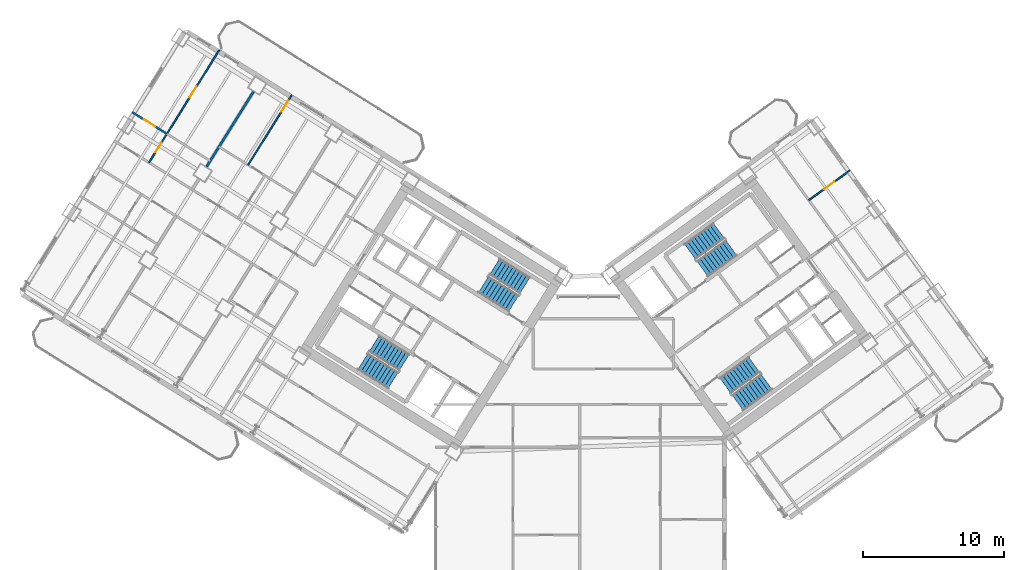
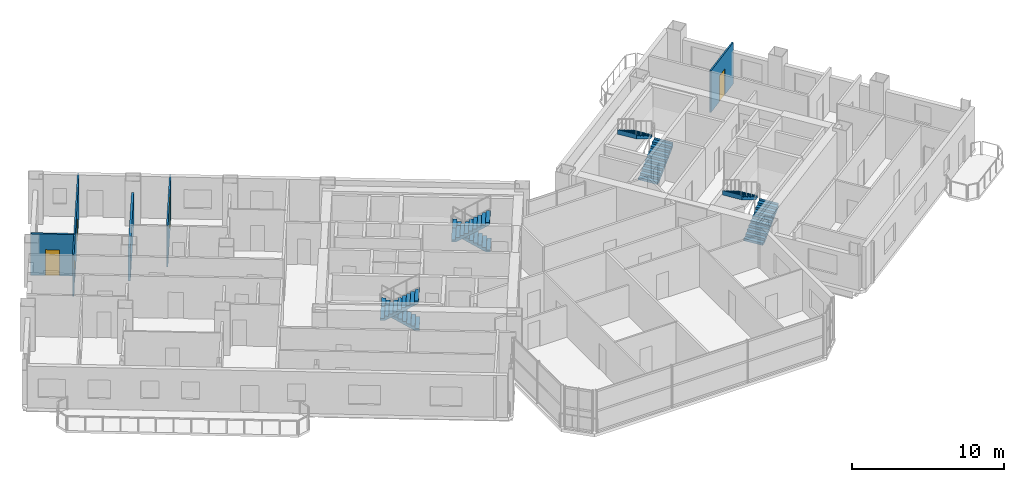
# One storey, part 20 of 24: 8 stair flights, 5 doors, 5 walls, 5 openings, 4 elements without a shape of their own.
"""IFC4 building model written with IfcOpenShell, lengths in metres."""

from ifc_helpers import new_model, si_unit, direction, frame, frame_2d, origin, place, context, subcontext, project, spatial, polyline, rectangle, outline, extrude, source, transform, mapped, material, layer, layer_set, type_object, element, fill, aggregate, save


model = new_model("IFC4")

# Units and contexts
model_context = context("Model", 3, precision=1e-05, world=origin(), true_north=direction((0.0, 1.0)))
body_context = subcontext(model_context, "Body", "Model", "MODEL_VIEW")
ifc_project = project(units=[si_unit("LENGTHUNIT", "METRE"), si_unit("AREAUNIT", "SQUARE_METRE"), si_unit("VOLUMEUNIT", "CUBIC_METRE"), si_unit("PLANEANGLEUNIT", "RADIAN"), si_unit("MASSUNIT", "GRAM", prefix="KILO")], contexts=[model_context])

# Site, building, storey
site_placement = place(None, origin())
site = spatial("IfcSite", under=ifc_project, at=site_placement, CompositionType="ELEMENT")
building_placement = place(site_placement, origin())
building = spatial("IfcBuilding", under=site, at=building_placement, Name="Tlacorven Tower", CompositionType="ELEMENT")
storey_placement = place(building_placement, frame((0.0, 0.0, 45.60009765625)))
storey = spatial("IfcBuildingStorey", under=building, at=storey_placement, Name="L11", CompositionType="ELEMENT", Elevation=45.60009765625)

# Wall
ifc_material_1 = material(Name="Gypsum plasterboard acoustic partition", Category="gypsum")
ifc_layer_1 = layer(ifc_material_1, 0.159912109375)
ifc_layer_set_1 = layer_set([ifc_layer_1], Name="Gypsum plasterboard acoustic partition")
wall_type_1 = type_object("IfcWallType", Name="WL-DEM-160", PredefinedType="PARTITIONING", material=ifc_layer_set_1)
wall_1_placement = place(storey_placement, frame((18.801513671875, 37.60009765625, 0.0), z_axis=(0.0, 0.0, 1.0), x_axis=(-0.529915015264, -0.848050751193, 0.0)))
element("IfcWall", 1, at=wall_1_placement, inside=storey, type_object=wall_type_1, Name="L11 WS Demising Wall 2", PredefinedType="PARTITIONING", context=body_context, shape_type="SweptSolid", body=[
    extrude(rectangle(XDim=6.27587890625, YDim=0.159912109375, at=frame_2d((3.137939453125, 0.0))), origin(), (0.0, 0.0, 1.0), 2.724853515625),
])

# Wall, opening, door
ifc_material_2 = material(Name="Gypsum plasterboard partition", Category="gypsum")
ifc_layer_2 = layer(ifc_material_2, 0.110107421875)
ifc_layer_set_2 = layer_set([ifc_layer_2], Name="Gypsum plasterboard partition")
wall_type_2 = type_object("IfcWallType", Name="WL-INT-110", PredefinedType="PARTITIONING", material=ifc_layer_set_2)
wall_2_placement = place(storey_placement, frame((21.516845703125, 37.356201171875, 0.0), z_axis=(0.0, 0.0, 1.0), x_axis=(-0.529916267533, -0.848049968695, 0.0)))
wall_2 = element("IfcWall", 2, at=wall_2_placement, inside=storey, type_object=wall_type_2, Name="L11 partition 70", PredefinedType="PARTITIONING", context=body_context, shape_type="SweptSolid", body=[
    extrude(rectangle(XDim=5.840087890625, YDim=0.110107421875, at=frame_2d((2.919921875, 0.0))), origin(), (0.0, 0.0, 1.0), 3.33984375),
])
opening_1_placement = place(wall_2_placement, frame((0.469970703125, 0.0, 0.0)))
opening_1 = element("IfcOpeningElement", 3, at=opening_1_placement, cuts=wall_2, Name="Opening D12", PredefinedType="OPENING", context=body_context, shape_type="SweptSolid", body=[
    extrude(rectangle(XDim=0.919921875, YDim=2.080078125, at=frame_2d((0.4599609375, 1.0400390625))), frame((0.0, 0.06494140625, 0.0), z_axis=(0.0, -1.0, 0.0), x_axis=(1.0, 0.0, 0.0)), (0.0, 0.0, 1.0), 0.130126953125),
])
ifc_material_3 = material(Name="Powder-coated aluminium and timber door", Category="wood")
door_type_1 = type_object("IfcDoorType", Name="DR-INT-ROOM-0920", OperationType="NOTDEFINED", PredefinedType="DOOR", material=ifc_material_3)
shared_shape_1 = source(origin(), body_context, "Body", "SweptSolid", [
    extrude(rectangle(XDim=0.919921875, YDim=2.080078125, at=frame_2d((0.4599609375, 1.0400390625))), frame((0.0, 0.02490234375, 0.0), z_axis=(0.0, -1.0, 0.0), x_axis=(1.0, 0.0, 0.0)), (0.0, 0.0, 1.0), 0.050048828125),
])
door_1_placement = place(opening_1_placement, origin())
door_1 = element("IfcDoor", 4, at=door_1_placement, inside=storey, type_object=door_type_1, Name="L11 door 035", OperationType="SINGLE_SWING_RIGHT", OverallHeight=2.080078125, OverallWidth=0.919921875, PredefinedType="DOOR", context=body_context, shape_type="MappedRepresentation", body=[
    mapped(shared_shape_1, transform((0.0, 0.0, 0.0), scale=1.0)),
])
fill(opening_1, door_1)

# Wall, openings, doors
wall_3_placement = place(storey_placement, frame((16.384521484375, 40.563232421875, 0.0), z_axis=(0.0, 0.0, 1.0), x_axis=(-0.529931378574, -0.848040526156, 0.0)))
wall_3 = element("IfcWall", 5, at=wall_3_placement, inside=storey, type_object=wall_type_2, Name="L11 partition 71", PredefinedType="PARTITIONING", context=body_context, shape_type="SweptSolid", body=[
    extrude(rectangle(XDim=9.419921875, YDim=0.110107421875, at=frame_2d((4.7099609375, 0.0))), origin(), (0.0, 0.0, 1.0), 3.33984375),
])
opening_2_placement = place(wall_3_placement, frame((7.780029296875, 0.0, 0.0)))
opening_2 = element("IfcOpeningElement", 6, at=opening_2_placement, cuts=wall_3, Name="Opening D22", PredefinedType="OPENING", context=body_context, shape_type="SweptSolid", body=[
    extrude(rectangle(XDim=0.780029296875, YDim=2.050048828125, at=frame_2d((0.39013671875, 1.02490234375))), frame((0.0, 0.06494140625, 0.0), z_axis=(0.0, -1.0, 0.0), x_axis=(1.0, 0.0, 0.0)), (0.0, 0.0, 1.0), 0.130126953125),
])
opening_3_placement = place(wall_3_placement, frame((3.050048828125, 0.0, 0.0)))
opening_3 = element("IfcOpeningElement", 7, at=opening_3_placement, cuts=wall_3, Name="Opening D12", PredefinedType="OPENING", context=body_context, shape_type="SweptSolid", body=[
    extrude(rectangle(XDim=0.919921875, YDim=2.080078125, at=frame_2d((0.4599609375, 1.0400390625))), frame((0.0, 0.06494140625, 0.0), z_axis=(0.0, -1.0, 0.0), x_axis=(1.0, 0.0, 0.0)), (0.0, 0.0, 1.0), 0.130126953125),
])
door_type_2 = type_object("IfcDoorType", Name="DR-INT-WET-0780", OperationType="NOTDEFINED", PredefinedType="DOOR", material=ifc_material_3)
shared_shape_2 = source(origin(), body_context, "Body", "SweptSolid", [
    extrude(rectangle(XDim=0.780029296875, YDim=2.050048828125, at=frame_2d((0.39013671875, 1.02490234375))), frame((0.0, 0.02490234375, 0.0), z_axis=(0.0, -1.0, 0.0), x_axis=(1.0, 0.0, 0.0)), (0.0, 0.0, 1.0), 0.050048828125),
])
door_2_placement = place(opening_2_placement, origin())
door_2 = element("IfcDoor", 8, at=door_2_placement, inside=storey, type_object=door_type_2, Name="L11 door 042", OperationType="SINGLE_SWING_LEFT", OverallHeight=2.050048828125, OverallWidth=0.780029296875, PredefinedType="DOOR", context=body_context, shape_type="MappedRepresentation", body=[
    mapped(shared_shape_2, transform((0.0, 0.0, 0.0), scale=1.0)),
])
fill(opening_2, door_2)
door_3_placement = place(opening_3_placement, origin())
door_3 = element("IfcDoor", 9, at=door_3_placement, inside=storey, type_object=door_type_1, Name="L11 door 043", OperationType="SINGLE_SWING_RIGHT", OverallHeight=2.080078125, OverallWidth=0.919921875, PredefinedType="DOOR", context=body_context, shape_type="MappedRepresentation", body=[
    mapped(shared_shape_1, transform((0.0, 0.0, 0.0), scale=1.0)),
])
fill(opening_3, door_3)

# Wall, opening, door
wall_4_placement = place(storey_placement, frame((58.19482421875, 29.903564453125, 0.0), z_axis=(0.0, 0.0, 1.0), x_axis=(0.809005039917, 0.58780170584, 0.0)))
wall_4 = element("IfcWall", 10, at=wall_4_placement, inside=storey, type_object=wall_type_2, Name="L11 partition 103", PredefinedType="PARTITIONING", context=body_context, shape_type="SweptSolid", body=[
    extrude(rectangle(XDim=3.610107421875, YDim=0.110107421875, at=frame_2d((1.80517578125, 0.0))), origin(), (0.0, 0.0, 1.0), 3.33984375),
])
opening_4_placement = place(wall_4_placement, frame((1.344970703125, 0.0, 0.0)))
opening_4 = element("IfcOpeningElement", 11, at=opening_4_placement, cuts=wall_4, Name="Opening D12", PredefinedType="OPENING", context=body_context, shape_type="SweptSolid", body=[
    extrude(rectangle(XDim=0.919921875, YDim=2.080078125, at=frame_2d((0.4599609375, 1.0400390625))), frame((0.0, 0.06494140625, 0.0), z_axis=(0.0, -1.0, 0.0), x_axis=(1.0, 0.0, 0.0)), (0.0, 0.0, 1.0), 0.130126953125),
])
door_4_placement = place(opening_4_placement, origin())
door_4 = element("IfcDoor", 12, at=door_4_placement, inside=storey, type_object=door_type_1, Name="L11 door 063", OperationType="SINGLE_SWING_RIGHT", OverallHeight=2.080078125, OverallWidth=0.919921875, PredefinedType="DOOR", context=body_context, shape_type="MappedRepresentation", body=[
    mapped(shared_shape_1, transform((0.0, 0.0, 0.0), scale=1.0)),
])
fill(opening_4, door_4)

ifc_material_4 = material(Name="Moisture-resistant gypsum plumbing wall", Category="gypsum")
ifc_layer_3 = layer(ifc_material_4, 0.139892578125)
ifc_layer_set_3 = layer_set([ifc_layer_3], Name="Moisture-resistant gypsum plumbing wall")
wall_type_3 = type_object("IfcWallType", Name="WL-PLM-140", PredefinedType="PLUMBINGWALL", material=ifc_layer_set_3)
wall_5_placement = place(storey_placement, frame((12.66455078125, 34.60986328125, 0.0), z_axis=(0.0, 0.0, 1.0), x_axis=(-0.848045593671, 0.529923269025, 0.0)))
wall_5 = element("IfcWall", 13, at=wall_5_placement, inside=storey, type_object=wall_type_3, Name="L11 partition 73", PredefinedType="PLUMBINGWALL", context=body_context, shape_type="SweptSolid", body=[
    extrude(rectangle(XDim=2.900146484375, YDim=0.139892578125, at=frame_2d((1.4501953125, 0.0))), origin(), (0.0, 0.0, 1.0), 3.33984375),
])
opening_5_placement = place(wall_5_placement, frame((0.989990234375, 0.0, 0.0)))
opening_5 = element("IfcOpeningElement", 14, at=opening_5_placement, cuts=wall_5, Name="Opening D12", PredefinedType="OPENING", context=body_context, shape_type="SweptSolid", body=[
    extrude(rectangle(XDim=0.919921875, YDim=2.080078125, at=frame_2d((0.4599609375, 1.0400390625))), frame((0.0, 0.080078125, 0.0), z_axis=(0.0, -1.0, 0.0), x_axis=(1.0, 0.0, 0.0)), (0.0, 0.0, 1.0), 0.159912109375),
])
door_5_placement = place(opening_5_placement, origin())
door_5 = element("IfcDoor", 15, at=door_5_placement, inside=storey, type_object=door_type_1, Name="L11 door 041", OperationType="SINGLE_SWING_LEFT", OverallHeight=2.080078125, OverallWidth=0.919921875, PredefinedType="DOOR", context=body_context, shape_type="MappedRepresentation", body=[
    mapped(shared_shape_1, transform((0.0, 0.0, 0.0), scale=1.0)),
])
fill(opening_5, door_5)

# Stair, stair flights
ifc_material_5 = material(Name="Concrete C40/50", Category="concrete")
stair_type = type_object("IfcStairType", Name="ST-CORE-DLG", PredefinedType="HALF_TURN_STAIR", material=ifc_material_5)
stair_1_placement = place(storey_placement, origin())
stair_1 = element("IfcStair", 16, at=stair_1_placement, inside=storey, type_object=stair_type, Name="L11 Protected Exit Stair West 1", PredefinedType="HALF_TURN_STAIR")
stair_flight_type = type_object("IfcStairFlightType", Name="SFL-RC-1380", PredefinedType="STRAIGHT", material=ifc_material_5)
shared_shape_3 = source(origin(), body_context, "Body", "SweptSolid", [
    extrude(outline(polyline([(-0.0029296875, -0.0029296875), (-0.0029296875, 0.179931640625), (0.280029296875, 0.179931640625), (0.280029296875, 0.360107421875), (0.56005859375, 0.360107421875), (0.56005859375, 0.5400390625), (0.840087890625, 0.5400390625), (0.840087890625, 0.719970703125), (1.1201171875, 0.719970703125), (1.1201171875, 0.89990234375), (1.39990234375, 0.89990234375), (1.39990234375, 1.080078125), (1.679931640625, 1.080078125), (1.679931640625, 1.260009765625), (1.9599609375, 1.260009765625), (1.9599609375, 1.43994140625), (2.239990234375, 1.43994140625), (2.239990234375, 1.6201171875), (2.52001953125, 1.6201171875), (2.52001953125, 1.800048828125), (2.52294921875, 1.800048828125), (2.52294921875, 1.429931640625), (2.52001953125, 1.429931640625), (0.295654296875, 0.0), (0.295654296875, -0.0029296875), (-0.0029296875, -0.0029296875)])), frame((0.0, 0.68994140625, 0.0), z_axis=(0.0, -1.0, 0.0), x_axis=(1.0, 0.0, 0.0)), (0.0, 0.0, 1.0), 1.3798828125),
])
stair_flight_1_placement = place(storey_placement, frame((29.499755859375, 18.39453125, 0.0), z_axis=(0.0, 0.0, 1.0), x_axis=(-0.848048096156, 0.529919264233, 0.0)))
stair_flight_1 = element("IfcStairFlight", 17, at=stair_flight_1_placement, type_object=stair_flight_type, Name="ST-W1 flight 1", NumberOfRisers=10, NumberOfTreads=9, PredefinedType="STRAIGHT", RiserHeight=0.18, TreadLength=0.28, context=body_context, shape_type="MappedRepresentation", body=[
    mapped(shared_shape_3, transform((0.0, 0.0, 0.0), scale=1.0)),
])
stair_flight_2_placement = place(storey_placement, frame((26.56787109375, 18.4580078125, 1.7998046875), z_axis=(0.0, 0.0, 1.0), x_axis=(0.848048096156, -0.529919264233, 0.0)))
stair_flight_2 = element("IfcStairFlight", 18, at=stair_flight_2_placement, type_object=stair_flight_type, Name="ST-W1 flight 2", NumberOfRisers=10, NumberOfTreads=9, PredefinedType="STRAIGHT", RiserHeight=0.18, TreadLength=0.28, context=body_context, shape_type="MappedRepresentation", body=[
    mapped(shared_shape_3, transform((0.0, 0.0, 0.0), scale=1.0)),
])
aggregate(stair_1, [stair_flight_1, stair_flight_2])

stair_2_placement = place(storey_placement, origin())
stair_2 = element("IfcStair", 19, at=stair_2_placement, inside=storey, type_object=stair_type, Name="L11 Protected Exit Stair West 2", PredefinedType="HALF_TURN_STAIR")
stair_flight_3_placement = place(storey_placement, frame((38.051513671875, 23.852294921875, 0.0), z_axis=(0.0, 0.0, 1.0), x_axis=(-0.848048096156, 0.529919264233, 0.0)))
stair_flight_3 = element("IfcStairFlight", 20, at=stair_flight_3_placement, type_object=stair_flight_type, Name="ST-W2 flight 1", NumberOfRisers=10, NumberOfTreads=9, PredefinedType="STRAIGHT", RiserHeight=0.18, TreadLength=0.28, context=body_context, shape_type="MappedRepresentation", body=[
    mapped(shared_shape_3, transform((0.0, 0.0, 0.0), scale=1.0)),
])
stair_flight_4_placement = place(storey_placement, frame((35.119384765625, 23.91552734375, 1.7998046875), z_axis=(0.0, 0.0, 1.0), x_axis=(0.848048096156, -0.529919264233, 0.0)))
stair_flight_4 = element("IfcStairFlight", 21, at=stair_flight_4_placement, type_object=stair_flight_type, Name="ST-W2 flight 2", NumberOfRisers=10, NumberOfTreads=9, PredefinedType="STRAIGHT", RiserHeight=0.18, TreadLength=0.28, context=body_context, shape_type="MappedRepresentation", body=[
    mapped(shared_shape_3, transform((0.0, 0.0, 0.0), scale=1.0)),
])
aggregate(stair_2, [stair_flight_3, stair_flight_4])

stair_3_placement = place(storey_placement, origin())
stair_3 = element("IfcStair", 22, at=stair_3_placement, inside=storey, type_object=stair_type, Name="L11 Protected Exit Stair East 1", PredefinedType="HALF_TURN_STAIR")
stair_flight_5_placement = place(storey_placement, frame((50.6533203125, 25.0400390625, 0.0), z_axis=(0.0, 0.0, 1.0), x_axis=(0.809016994375, 0.587785252292, 0.0)))
stair_flight_5 = element("IfcStairFlight", 23, at=stair_flight_5_placement, type_object=stair_flight_type, Name="ST-E1 flight 1", NumberOfRisers=10, NumberOfTreads=9, PredefinedType="STRAIGHT", RiserHeight=0.18, TreadLength=0.28, context=body_context, shape_type="MappedRepresentation", body=[
    mapped(shared_shape_3, transform((0.0, 0.0, 0.0), scale=1.0)),
])
stair_flight_6_placement = place(storey_placement, frame((51.810546875, 27.734619140625, 1.7998046875), z_axis=(0.0, 0.0, 1.0), x_axis=(-0.809016994375, -0.587785252292, 0.0)))
stair_flight_6 = element("IfcStairFlight", 24, at=stair_flight_6_placement, type_object=stair_flight_type, Name="ST-E1 flight 2", NumberOfRisers=10, NumberOfTreads=9, PredefinedType="STRAIGHT", RiserHeight=0.18, TreadLength=0.28, context=body_context, shape_type="MappedRepresentation", body=[
    mapped(shared_shape_3, transform((0.0, 0.0, 0.0), scale=1.0)),
])
aggregate(stair_3, [stair_flight_5, stair_flight_6])

stair_4_placement = place(storey_placement, origin())
stair_4 = element("IfcStair", 25, at=stair_4_placement, inside=storey, type_object=stair_type, Name="L11 Protected Exit Stair East 2", PredefinedType="HALF_TURN_STAIR")
stair_flight_7_placement = place(storey_placement, frame((53.157470703125, 15.536865234375, 0.0), z_axis=(0.0, 0.0, 1.0), x_axis=(0.809016994375, 0.587785252292, 0.0)))
stair_flight_7 = element("IfcStairFlight", 26, at=stair_flight_7_placement, type_object=stair_flight_type, Name="ST-E2 flight 1", NumberOfRisers=10, NumberOfTreads=9, PredefinedType="STRAIGHT", RiserHeight=0.18, TreadLength=0.28, context=body_context, shape_type="MappedRepresentation", body=[
    mapped(shared_shape_3, transform((0.0, 0.0, 0.0), scale=1.0)),
])
stair_flight_8_placement = place(storey_placement, frame((54.314453125, 18.231689453125, 1.7998046875), z_axis=(0.0, 0.0, 1.0), x_axis=(-0.809016994375, -0.587785252292, 0.0)))
stair_flight_8 = element("IfcStairFlight", 27, at=stair_flight_8_placement, type_object=stair_flight_type, Name="ST-E2 flight 2", NumberOfRisers=10, NumberOfTreads=9, PredefinedType="STRAIGHT", RiserHeight=0.18, TreadLength=0.28, context=body_context, shape_type="MappedRepresentation", body=[
    mapped(shared_shape_3, transform((0.0, 0.0, 0.0), scale=1.0)),
])
aggregate(stair_4, [stair_flight_7, stair_flight_8])

save(model, "model.ifc")
